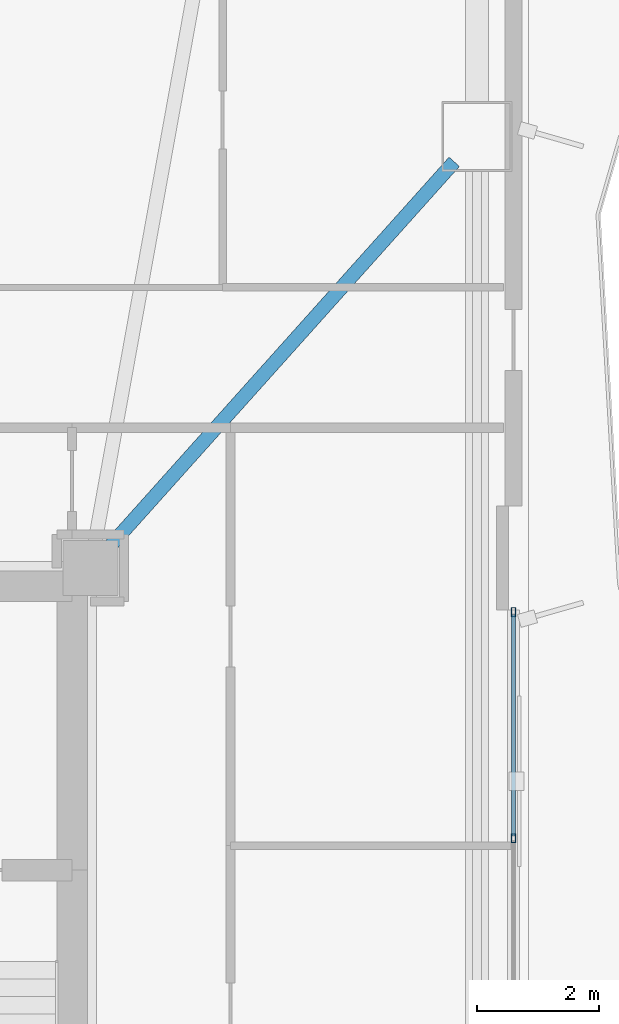
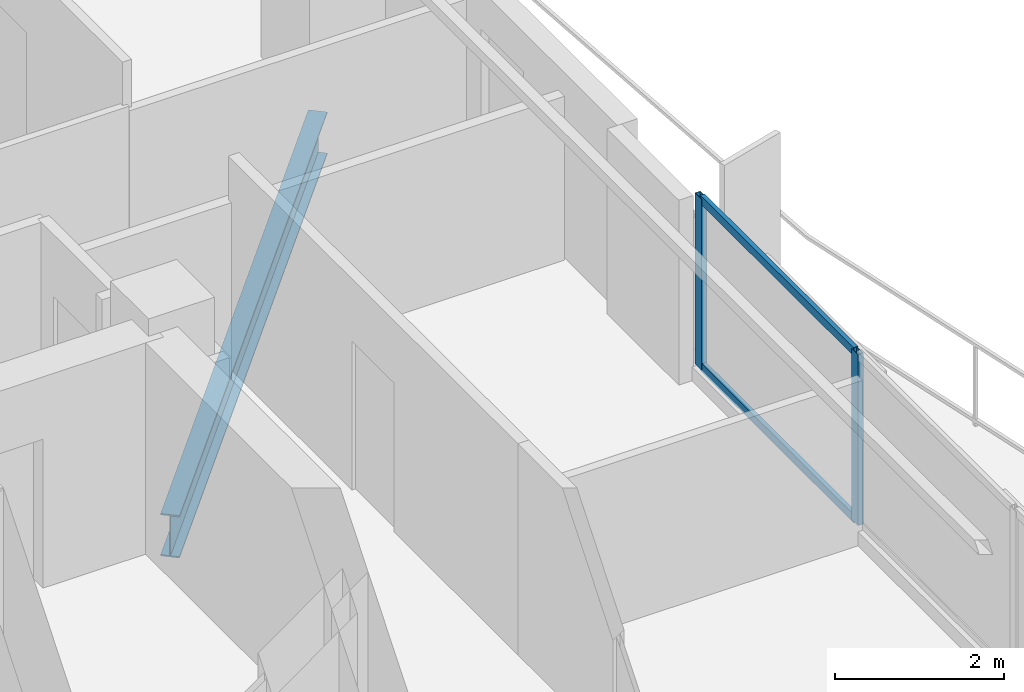
# One storey, part 10 of 22: 4 members, 1 beam, 1 element without a shape of its own.
"""IFC4 building model written with IfcOpenShell, lengths in metres."""

from ifc_helpers import new_model, si_unit, direction, frame, origin, origin_2d, place, context, subcontext, project, spatial, hollow_rectangle, i_section, extrude, material, layer, layer_set, material_profile, profile_set, type_object, element, aggregate, save


model = new_model("IFC4")

# Units and contexts
model_context = context("Model", 3, precision=1e-05, world=origin(), true_north=direction((0.0, 1.0)))
body_context = subcontext(model_context, "Body", "Model", "MODEL_VIEW")
ifc_project = project(units=[si_unit("LENGTHUNIT", "METRE"), si_unit("AREAUNIT", "SQUARE_METRE"), si_unit("VOLUMEUNIT", "CUBIC_METRE"), si_unit("PLANEANGLEUNIT", "RADIAN"), si_unit("MASSUNIT", "GRAM", prefix="KILO")], contexts=[model_context])

# Site, building, storey
site_placement = place(None, origin())
site = spatial("IfcSite", under=ifc_project, at=site_placement, CompositionType="ELEMENT")
building_placement = place(site_placement, origin())
building = spatial("IfcBuilding", under=site, at=building_placement, Name="Mersakhor Tower and Convention Hall", CompositionType="ELEMENT")
storey_placement = place(building_placement, frame((0.0, 0.0, 86.699951171875)))
storey = spatial("IfcBuildingStorey", under=building, at=storey_placement, Name="L23", CompositionType="ELEMENT", Elevation=86.699951171875)

# Beam
ifc_material_1 = material(Name="Steel S355", Category="steel")
ifc_material_profile_1 = material_profile(ifc_material_1, i_section(OverallWidth=0.22900390625, OverallDepth=0.6123046875, WebThickness=0.011962890625, FlangeThickness=0.01953125, at=origin_2d()), Name="UB 610x229x125")
ifc_profile_set_1 = profile_set([ifc_material_profile_1], Name="Steel S355")
beam_type = type_object("IfcBeamType", Name="BM-PR-610", PredefinedType="BEAM", material=ifc_profile_set_1)
beam_placement = place(storey_placement, frame((36.386962890625, 33.370361328125, -0.55615234375), z_axis=(0.66721913788, 0.744861478428, 0.0), x_axis=(-0.744861478428, 0.66721913788, 0.0)))
element("IfcBeam", 1, at=beam_placement, inside=storey, type_object=beam_type, Name="L23 Primary Floor Girder FG-3", PredefinedType="BEAM", context=body_context, shape_type="SweptSolid", body=[
    extrude(i_section(OverallWidth=0.22900390625, OverallDepth=0.6123046875, WebThickness=0.011962890625, FlangeThickness=0.01953125, at=origin_2d()), origin(), (0.0, 0.0, 1.0), 8.5087890625),
])

# Curtain wall, members
ifc_material_2 = material(Name="Dark solar low-E aluminium curtain wall", Category="aluminium")
ifc_layer = layer(ifc_material_2, 0.159912109375)
ifc_layer_set = layer_set([ifc_layer], Name="Dark solar low-E aluminium curtain wall")
curtain_wall_type = type_object("IfcCurtainWallType", Name="CW-SYS-01", PredefinedType="USERDEFINED", material=ifc_layer_set)
curtain_wall_placement = place(storey_placement, origin())
curtain_wall = element("IfcCurtainWall", 2, at=curtain_wall_placement, inside=storey, type_object=curtain_wall_type, Name="L23 Dark-Glass Curtain Wall F2-B2", ObjectType="CURTAIN WALL", PredefinedType="USERDEFINED")
ifc_material_3 = material(Name="Anodised aluminium EN AW-6063 T6", Category="aluminium")
ifc_material_profile_2 = material_profile(ifc_material_3, hollow_rectangle(XDim=0.074951171875, YDim=0.14990234375, WallThickness=0.00634765625, at=origin_2d()), Name="RHS 150x75x6.3")
ifc_profile_set_2 = profile_set([ifc_material_profile_2], Name="Anodised aluminium EN AW-6063 T6")
member_type_1 = type_object("IfcMemberType", Name="CWM-150x75", PredefinedType="MULLION", material=ifc_profile_set_2)
member_1_placement = place(storey_placement, frame((43.03466796875, 32.327392578125, 0.199951171875), z_axis=(0.0, 0.0, 1.0), x_axis=(1.0, 0.0, 0.0)))
member_1 = element("IfcMember", 3, at=member_1_placement, type_object=member_type_1, Name="CW-01 mullion 1", PredefinedType="MULLION", context=body_context, shape_type="SweptSolid", body=[
    extrude(hollow_rectangle(XDim=0.074951171875, YDim=0.14990234375, WallThickness=0.00634765625, at=origin_2d()), origin(), (0.0, 0.0, 1.0), 2.47021484375),
])
member_2_placement = place(storey_placement, frame((43.03466796875, 28.62158203125, 0.199951171875), z_axis=(0.0, 0.0, 1.0), x_axis=(1.0, 0.0, 0.0)))
member_2 = element("IfcMember", 4, at=member_2_placement, type_object=member_type_1, Name="CW-01 mullion 2", PredefinedType="MULLION", context=body_context, shape_type="SweptSolid", body=[
    extrude(hollow_rectangle(XDim=0.074951171875, YDim=0.14990234375, WallThickness=0.00634765625, at=origin_2d()), origin(), (0.0, 0.0, 1.0), 2.47021484375),
])
ifc_material_4 = material(Name="Anodised aluminium EN AW-6063 T6", Category="aluminium")
ifc_material_profile_3 = material_profile(ifc_material_4, hollow_rectangle(XDim=0.06005859375, YDim=0.1201171875, WallThickness=0.0048828125, at=origin_2d()), Name="RHS 120x60x5")
ifc_profile_set_3 = profile_set([ifc_material_profile_3], Name="Anodised aluminium EN AW-6063 T6")
member_type_2 = type_object("IfcMemberType", Name="CWT-120x60", PredefinedType="USERDEFINED", material=ifc_profile_set_3)
member_3_placement = place(storey_placement, frame((43.03466796875, 32.289794921875, 0.22998046875), z_axis=(0.0, -1.0, 0.0), x_axis=(1.0, 0.0, 0.0)))
member_3 = element("IfcMember", 5, at=member_3_placement, type_object=member_type_2, Name="CW-01 transom 1.1", ObjectType="TRANSOM", PredefinedType="USERDEFINED", context=body_context, shape_type="SweptSolid", body=[
    extrude(hollow_rectangle(XDim=0.06005859375, YDim=0.1201171875, WallThickness=0.0048828125, at=origin_2d()), origin(), (0.0, 0.0, 1.0), 3.630615234375),
])
member_4_placement = place(storey_placement, frame((43.03466796875, 32.289794921875, 2.64013671875), z_axis=(0.0, -1.0, 0.0), x_axis=(1.0, 0.0, 0.0)))
member_4 = element("IfcMember", 6, at=member_4_placement, type_object=member_type_2, Name="CW-01 transom 1.2", ObjectType="TRANSOM", PredefinedType="USERDEFINED", context=body_context, shape_type="SweptSolid", body=[
    extrude(hollow_rectangle(XDim=0.06005859375, YDim=0.1201171875, WallThickness=0.0048828125, at=origin_2d()), origin(), (0.0, 0.0, 1.0), 3.630615234375),
])
aggregate(curtain_wall, [member_1, member_2, member_3, member_4])

save(model, "model.ifc")
